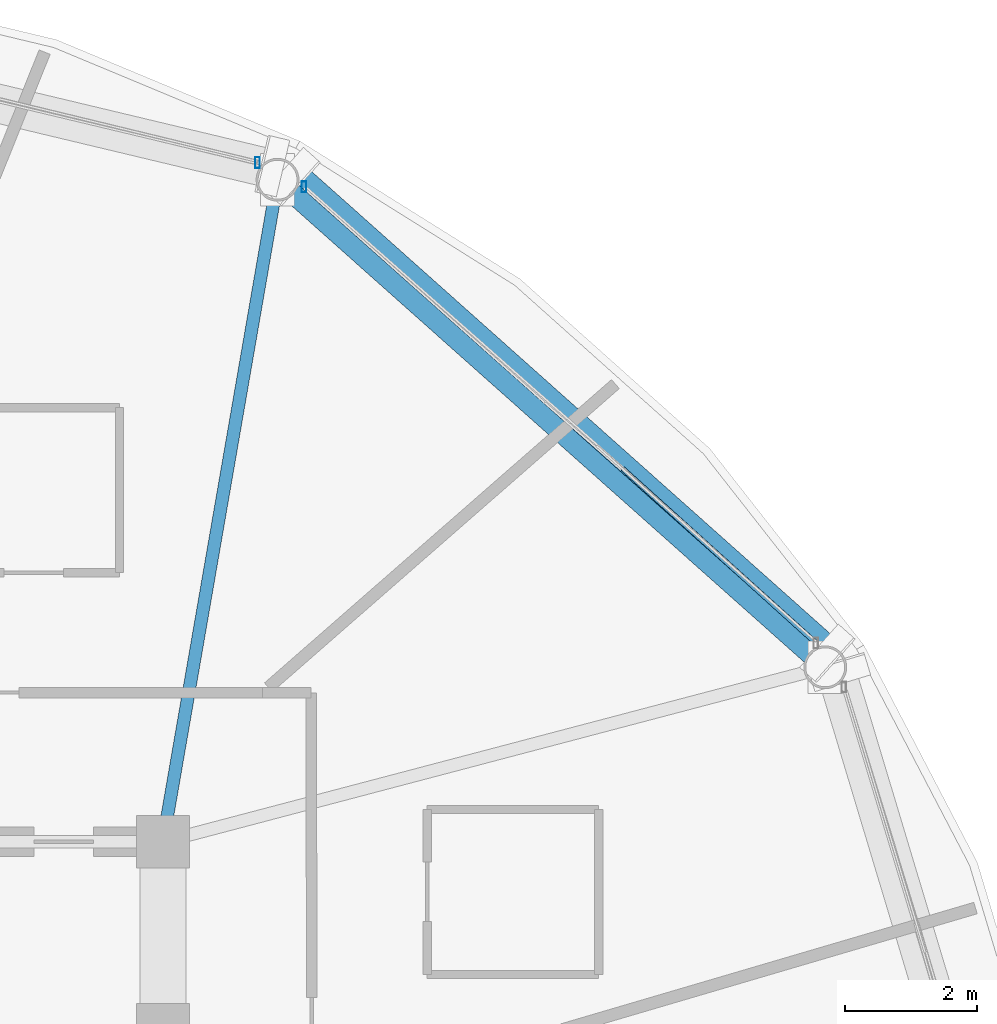
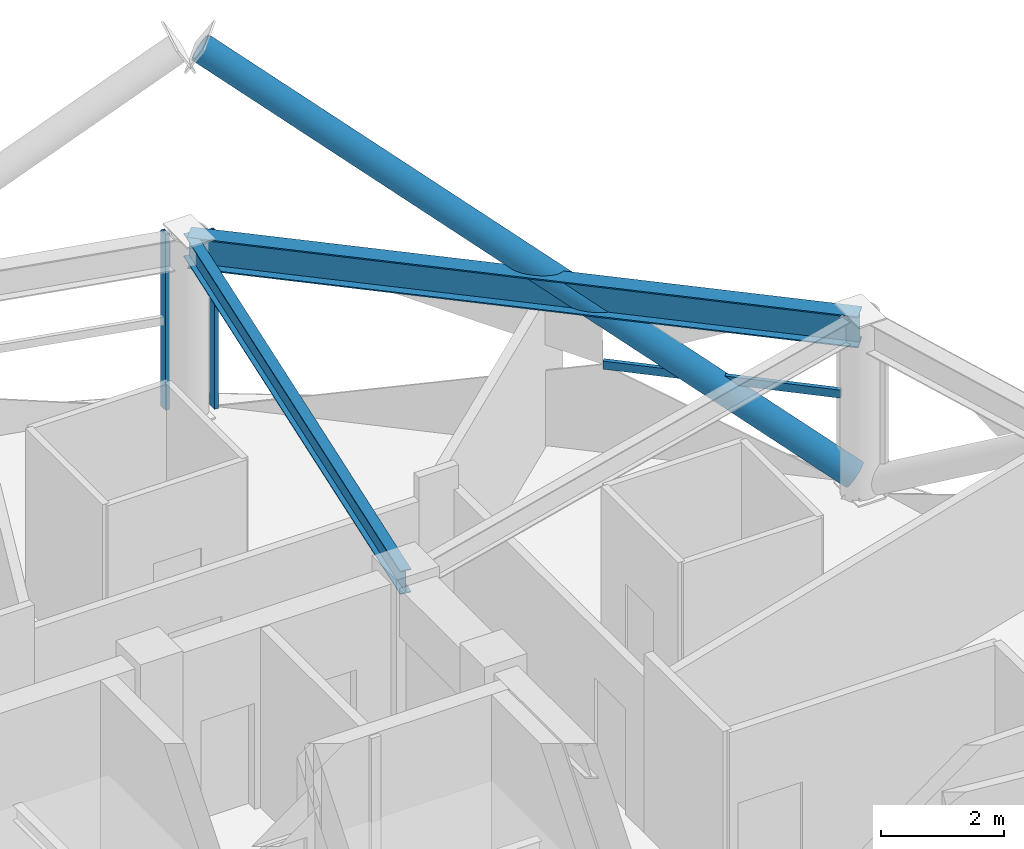
# One storey, part 20 of 30: 4 members, 2 beams, 2 elements without a shape of their own.
"""IFC4 building model written with IfcOpenShell, lengths in metres."""

from ifc_helpers import new_model, si_unit, direction, frame, origin, origin_2d, place, context, subcontext, project, spatial, hollow_rectangle, hollow_circle, i_section, extrude, material, layer, layer_set, material_profile, profile_set, type_object, element, aggregate, save


model = new_model("IFC4")

# Units and contexts
model_context = context("Model", 3, precision=1e-05, world=origin(), true_north=direction((0.0, 1.0)))
body_context = subcontext(model_context, "Body", "Model", "MODEL_VIEW")
ifc_project = project(units=[si_unit("LENGTHUNIT", "METRE"), si_unit("AREAUNIT", "SQUARE_METRE"), si_unit("VOLUMEUNIT", "CUBIC_METRE"), si_unit("PLANEANGLEUNIT", "RADIAN"), si_unit("MASSUNIT", "GRAM", prefix="KILO")], contexts=[model_context])

# Site, building, storey
site_placement = place(None, origin())
site = spatial("IfcSite", under=ifc_project, at=site_placement, CompositionType="ELEMENT")
building_placement = place(site_placement, origin())
building = spatial("IfcBuilding", under=site, at=building_placement, Name="Vantalir Tower", CompositionType="ELEMENT")
storey_placement = place(building_placement, frame((0.0, 0.0, 189.89990234375)))
storey = spatial("IfcBuildingStorey", under=building, at=storey_placement, Name="L47", CompositionType="ELEMENT", Elevation=189.89990234375)

# Beams
ifc_material_1 = material(Name="Steel S355", Category="steel")
ifc_material_profile_1 = material_profile(ifc_material_1, i_section(OverallWidth=0.19189453125, OverallDepth=0.462890625, WebThickness=0.010498046875, FlangeThickness=0.017578125, at=origin_2d()), Name="Steel S355")
ifc_profile_set_1 = profile_set([ifc_material_profile_1], Name="Steel S355")
beam_type_1 = type_object("IfcBeamType", Name="BM-RB-457x191", PredefinedType="BEAM", material=ifc_profile_set_1)
beam_1_placement = place(storey_placement, frame((42.837890625, 42.48291015625, 3.338134765625), z_axis=(-0.170667231152, -0.98532872495, 0.0), x_axis=(0.98532872495, -0.170667231152, 0.0)))
element("IfcBeam", 1, at=beam_1_placement, inside=storey, type_object=beam_type_1, Name="L47 Radial Floor Beam 03", PredefinedType="BEAM", context=body_context, shape_type="SweptSolid", body=[
    extrude(i_section(OverallWidth=0.19189453125, OverallDepth=0.462890625, WebThickness=0.010498046875, FlangeThickness=0.017578125, at=origin_2d()), origin(), (0.0, 0.0, 1.0), 10.182373046875),
])
ifc_material_2 = material(Name="Steel S460", Category="steel")
ifc_material_profile_2 = material_profile(ifc_material_2, i_section(OverallWidth=0.306884765625, OverallDepth=0.6201171875, WebThickness=0.01416015625, FlangeThickness=0.023681640625, at=origin_2d()), Name="Steel S460")
ifc_profile_set_2 = profile_set([ifc_material_profile_2], Name="Steel S460")
beam_type_2 = type_object("IfcBeamType", Name="BM-RG-610x305", PredefinedType="USERDEFINED", material=ifc_profile_set_2)
beam_2_placement = place(storey_placement, frame((51.137939453125, 35.093994140625, 3.260009765625), z_axis=(-0.746913346666, 0.664921388265, 0.0), x_axis=(-0.664921388265, -0.746913346666, 0.0)))
element("IfcBeam", 2, at=beam_2_placement, inside=storey, type_object=beam_type_2, Name="L47 Circumferential Ring Girder 02", ObjectType="GIRDER", PredefinedType="USERDEFINED", context=body_context, shape_type="SweptSolid", body=[
    extrude(i_section(OverallWidth=0.306884765625, OverallDepth=0.6201171875, WebThickness=0.01416015625, FlangeThickness=0.023681640625, at=origin_2d()), origin(), (0.0, 0.0, 1.0), 11.112548828125),
])

# Curtain wall, member
ifc_material_3 = material(Name="Champagne-silver PVDF aluminium and double-silver Low-E glass", Category="aluminium")
ifc_layer = layer(ifc_material_3, 0.2099609375)
ifc_layer_set = layer_set([ifc_layer], Name="Champagne-silver PVDF aluminium and double-silver Low-E glass")
curtain_wall_type = type_object("IfcCurtainWallType", Name="CW-DIAMOND-Z3", PredefinedType="USERDEFINED", material=ifc_layer_set)
curtain_wall_1_placement = place(storey_placement, origin())
curtain_wall_1 = element("IfcCurtainWall", 3, at=curtain_wall_1_placement, inside=storey, type_object=curtain_wall_type, Name="L47 Quilted Pyramid-Diamond Curtain Wall S02", ObjectType="UNITISED CURTAIN WALL", PredefinedType="USERDEFINED")
ifc_material_4 = material(Name="Champagne-silver PVDF aluminium 6063-T6", Category="aluminium")
ifc_material_profile_3 = material_profile(ifc_material_4, hollow_rectangle(XDim=0.070068359375, YDim=0.1650390625, WallThickness=0.00390625, at=origin_2d()), Name="Champagne-silver PVDF aluminium 6063-T6")
ifc_profile_set_3 = profile_set([ifc_material_profile_3], Name="Champagne-silver PVDF aluminium 6063-T6")
member_type_1 = type_object("IfcMemberType", Name="CWM-165x70", PredefinedType="MULLION", material=ifc_profile_set_3)
member_1_placement = place(storey_placement, frame((43.239013671875, 42.375, 0.045166015625), z_axis=(0.0, 0.0, 1.0), x_axis=(1.0, 0.0, 0.0)))
member_1 = element("IfcMember", 4, at=member_1_placement, type_object=member_type_1, Name="CW-L47-S02 Mullion 2", PredefinedType="MULLION", context=body_context, shape_type="SweptSolid", body=[
    extrude(hollow_rectangle(XDim=0.070068359375, YDim=0.1650390625, WallThickness=0.00390625, at=origin_2d()), origin(), (0.0, 0.0, 1.0), 3.47998046875),
])

curtain_wall_2_placement = place(storey_placement, origin())
curtain_wall_2 = element("IfcCurtainWall", 5, at=curtain_wall_2_placement, inside=storey, type_object=curtain_wall_type, Name="L47 Quilted Pyramid-Diamond Curtain Wall S03", ObjectType="UNITISED CURTAIN WALL", PredefinedType="USERDEFINED")
member_2_placement = place(storey_placement, frame((42.533935546875, 42.742919921875, 0.045166015625), z_axis=(0.0, 0.0, 1.0), x_axis=(1.0, 0.0, 0.0)))
member_2 = element("IfcMember", 6, at=member_2_placement, type_object=member_type_1, Name="CW-L47-S03 Mullion 1", PredefinedType="MULLION", context=body_context, shape_type="SweptSolid", body=[
    extrude(hollow_rectangle(XDim=0.070068359375, YDim=0.1650390625, WallThickness=0.00390625, at=origin_2d()), origin(), (0.0, 0.0, 1.0), 3.47998046875),
])
aggregate(curtain_wall_2, [member_2])

# Member
ifc_material_profile_4 = material_profile(ifc_material_4, hollow_rectangle(XDim=0.074951171875, YDim=0.159912109375, WallThickness=0.00390625, at=origin_2d()), Name="Champagne-silver PVDF aluminium 6063-T6")
ifc_profile_set_4 = profile_set([ifc_material_profile_4], Name="Champagne-silver PVDF aluminium 6063-T6")
member_type_2 = type_object("IfcMemberType", Name="CWT-160x75", PredefinedType="USERDEFINED", material=ifc_profile_set_4)
member_3_placement = place(storey_placement, frame((50.9970703125, 35.4619140625, 1.78515625), z_axis=(-0.74253350764, 0.669808920537, 0.0), x_axis=(-0.669808920537, -0.74253350764, 0.0)))
member_3 = element("IfcMember", 7, at=member_3_placement, type_object=member_type_2, Name="CW-L47-S02 Pyramid Fold Ridge Transom", ObjectType="TRANSOM", PredefinedType="USERDEFINED", context=body_context, shape_type="SweptSolid", body=[
    extrude(hollow_rectangle(XDim=0.074951171875, YDim=0.159912109375, WallThickness=0.00390625, at=origin_2d()), origin(), (0.0, 0.0, 1.0), 3.944580078125),
])

aggregate(curtain_wall_1, [member_1, member_3])

ifc_material_profile_5 = material_profile(ifc_material_2, hollow_circle(Radius=0.25, WallThickness=0.031982421875, at=origin_2d()), Name="Steel S460")
ifc_profile_set_5 = profile_set([ifc_material_profile_5], Name="Steel S460")
member_type_3 = type_object("IfcMemberType", Name="MEM-DB-500x32", PredefinedType="BRACE", material=ifc_profile_set_5)
member_4_placement = place(storey_placement, frame((51.1650390625, 35.31201171875, 0.197998046875), z_axis=(-0.629199562218, 0.560705573136, 0.53825381667), x_axis=(-0.665302591235, -0.746573815571, 0.0)))
element("IfcMember", 8, at=member_4_placement, inside=storey, type_object=member_type_3, Name="L47 Perimeter S460 Diagrid Brace R04L", PredefinedType="BRACE", context=body_context, shape_type="SweptSolid", body=[
    extrude(hollow_circle(Radius=0.25, WallThickness=0.031982421875, at=origin_2d()), origin(), (0.0, 0.0, 1.0), 12.864013671875),
])

save(model, "model.ifc")
